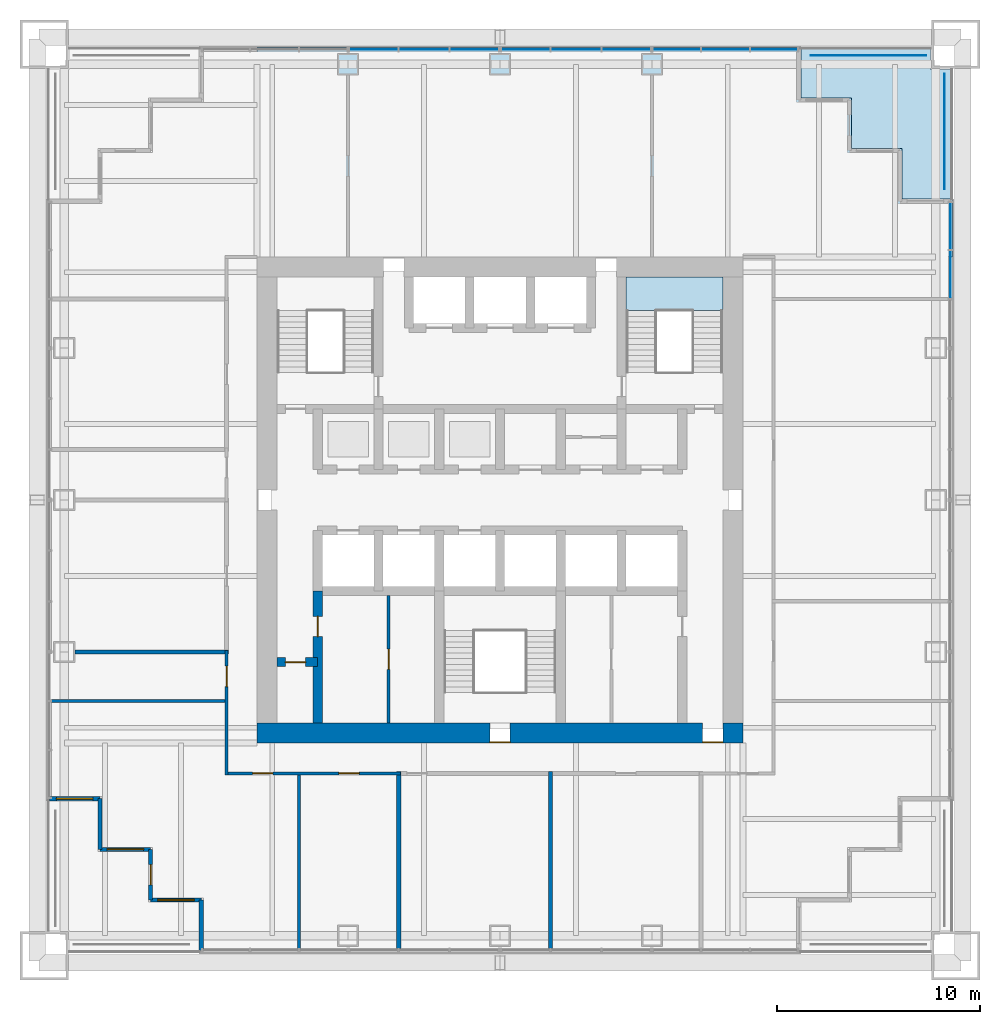
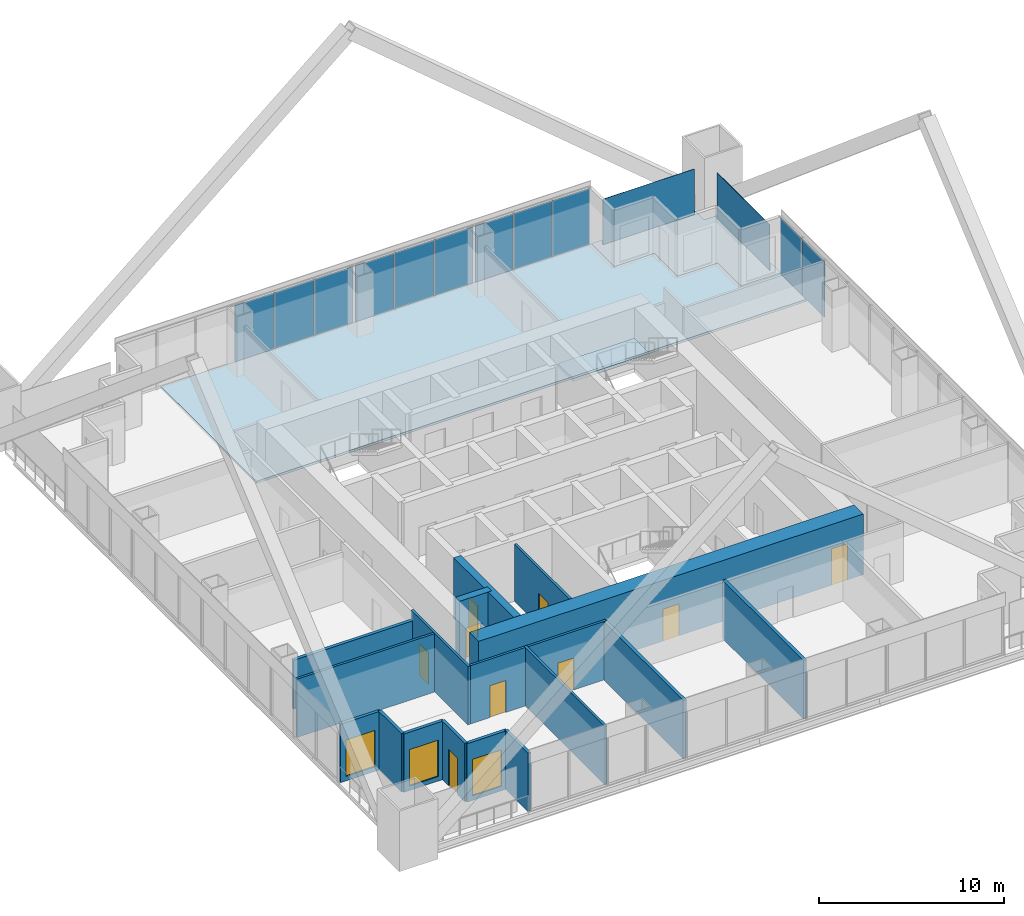
# One storey, part 8 of 14: 17 walls, 13 plates, 9 doors, 3 slabs, 3 windows, 12 openings, 5 elements without a shape of their own.
"""IFC4 building model written with IfcOpenShell, lengths in metres."""

from ifc_helpers import new_model, si_unit, direction, frame, frame_2d, origin, origin_2d, place, context, subcontext, project, spatial, polyline, rectangle, outline, extrude, material, layer, layer_set, type_object, element, fill, aggregate, save


model = new_model("IFC4")

# Units and contexts
model_context = context("Model", 3, precision=1e-05, world=origin(), true_north=direction((0.0, 1.0)))
body_context = subcontext(model_context, "Body", "Model", "MODEL_VIEW")
ifc_project = project(units=[si_unit("LENGTHUNIT", "METRE"), si_unit("AREAUNIT", "SQUARE_METRE"), si_unit("VOLUMEUNIT", "CUBIC_METRE"), si_unit("PLANEANGLEUNIT", "RADIAN"), si_unit("MASSUNIT", "GRAM", prefix="KILO")], contexts=[model_context])

# Site, building, storey
site_placement = place(None, origin())
site = spatial("IfcSite", under=ifc_project, at=site_placement, CompositionType="ELEMENT")
building_placement = place(site_placement, origin())
building = spatial("IfcBuilding", under=site, at=building_placement, Name="Tarangal Relay Tower", CompositionType="ELEMENT")
storey_placement = place(building_placement, frame((0.0, 0.0, 177.89990234375)))
storey = spatial("IfcBuildingStorey", under=building, at=storey_placement, Name="L36", CompositionType="ELEMENT", Elevation=177.89990234375)

# Slab
ifc_material_1 = material(Name="Concrete fc' 35 MPa", Category="concrete")
ifc_layer_1 = layer(ifc_material_1, 0.14990234375)
ifc_layer_set_1 = layer_set([ifc_layer_1], Name="Floor slab 150")
slab_type_1 = type_object("IfcSlabType", Name="Floor slab 150", PredefinedType="FLOOR", material=ifc_layer_set_1)
slab_1_placement = place(storey_placement, frame((0.0, 0.0, -0.14990234375)))
element("IfcSlab", 1, at=slab_1_placement, inside=storey, type_object=slab_type_1, Name="Floor slab FS3 L36 north bay", PredefinedType="FLOOR", context=body_context, shape_type="SweptSolid", body=[
    extrude(outline(polyline([(14.85009765625, 22.35009765625), (14.85009765625, 19.85009765625), (17.35009765625, 19.85009765625), (17.35009765625, 17.35009765625), (19.85009765625, 17.35009765625), (19.85009765625, 14.85009765625), (22.35009765625, 14.85009765625), (22.35009765625, 12.0), (-12.0, 12.0), (-12.0, 22.35009765625), (14.85009765625, 22.35009765625)])), origin(), (0.0, 0.0, 1.0), 0.14990234375),
])

# Curtain wall, plates
ifc_material_2 = material(Name="Unitised curtain wall, dark glass and black aluminium", Category="aluminium")
curtain_wall_type = type_object("IfcCurtainWallType", Name="Curtain wall CW-S", PredefinedType="USERDEFINED", material=ifc_material_2)
curtain_wall_1_placement = place(storey_placement, origin())
curtain_wall_1 = element("IfcCurtainWall", 2, at=curtain_wall_1_placement, inside=storey, type_object=curtain_wall_type, Name="Curtain wall CW-S N facade L36", ObjectType="UNITISED CURTAIN WALL", PredefinedType="USERDEFINED")
ifc_material_3 = material(Name="Dark tinted insulated glass unit", Category="glass")
ifc_layer_2 = layer(ifc_material_3, 0.035888671875)
ifc_layer_set_2 = layer_set([ifc_layer_2], Name="Glazed panel CW-S 36")
plate_type_1 = type_object("IfcPlateType", Name="Glazed panel CW-S 36", PredefinedType="CURTAIN_PANEL", material=ifc_layer_set_2)
plate_1_placement = place(storey_placement, frame((-6.231201171875, 22.25, 0.0751953125), z_axis=(0.0, 0.0, 1.0), x_axis=(1.0, 0.0, 0.0)))
plate_1 = element("IfcPlate", 3, at=plate_1_placement, type_object=plate_type_1, Name="CW-S panel 1.1", PredefinedType="CURTAIN_PANEL", context=body_context, shape_type="SweptSolid", body=[
    extrude(rectangle(XDim=2.387451171875, YDim=0.035888671875, at=origin_2d()), origin(), (0.0, 0.0, 1.0), 3.699951171875),
])
plate_2_placement = place(storey_placement, frame((-3.75, 22.25, 0.0751953125), z_axis=(0.0, 0.0, 1.0), x_axis=(1.0, 0.0, 0.0)))
plate_2 = element("IfcPlate", 4, at=plate_2_placement, type_object=plate_type_1, Name="CW-S panel 2.1", PredefinedType="CURTAIN_PANEL", context=body_context, shape_type="SweptSolid", body=[
    extrude(rectangle(XDim=2.425048828125, YDim=0.035888671875, at=origin_2d()), origin(), (0.0, 0.0, 1.0), 3.699951171875),
])
plate_3_placement = place(storey_placement, frame((-1.268798828125, 22.25, 0.0751953125), z_axis=(0.0, 0.0, 1.0), x_axis=(1.0, 0.0, 0.0)))
plate_3 = element("IfcPlate", 5, at=plate_3_placement, type_object=plate_type_1, Name="CW-S panel 3.1", PredefinedType="CURTAIN_PANEL", context=body_context, shape_type="SweptSolid", body=[
    extrude(rectangle(XDim=2.387451171875, YDim=0.035888671875, at=origin_2d()), origin(), (0.0, 0.0, 1.0), 3.699951171875),
])
aggregate(curtain_wall_1, [plate_1, plate_2, plate_3])

curtain_wall_2_placement = place(storey_placement, origin())
curtain_wall_2 = element("IfcCurtainWall", 6, at=curtain_wall_2_placement, inside=storey, type_object=curtain_wall_type, Name="Curtain wall CW-S N facade L36", ObjectType="UNITISED CURTAIN WALL", PredefinedType="USERDEFINED")
plate_4_placement = place(storey_placement, frame((1.268798828125, 22.25, 0.0751953125), z_axis=(0.0, 0.0, 1.0), x_axis=(1.0, 0.0, 0.0)))
plate_4 = element("IfcPlate", 7, at=plate_4_placement, type_object=plate_type_1, Name="CW-S panel 1.1", PredefinedType="CURTAIN_PANEL", context=body_context, shape_type="SweptSolid", body=[
    extrude(rectangle(XDim=2.387451171875, YDim=0.035888671875, at=origin_2d()), origin(), (0.0, 0.0, 1.0), 3.699951171875),
])
plate_5_placement = place(storey_placement, frame((3.75, 22.25, 0.0751953125), z_axis=(0.0, 0.0, 1.0), x_axis=(1.0, 0.0, 0.0)))
plate_5 = element("IfcPlate", 8, at=plate_5_placement, type_object=plate_type_1, Name="CW-S panel 2.1", PredefinedType="CURTAIN_PANEL", context=body_context, shape_type="SweptSolid", body=[
    extrude(rectangle(XDim=2.425048828125, YDim=0.035888671875, at=origin_2d()), origin(), (0.0, 0.0, 1.0), 3.699951171875),
])
plate_6_placement = place(storey_placement, frame((6.231201171875, 22.25, 0.0751953125), z_axis=(0.0, 0.0, 1.0), x_axis=(1.0, 0.0, 0.0)))
plate_6 = element("IfcPlate", 9, at=plate_6_placement, type_object=plate_type_1, Name="CW-S panel 3.1", PredefinedType="CURTAIN_PANEL", context=body_context, shape_type="SweptSolid", body=[
    extrude(rectangle(XDim=2.387451171875, YDim=0.035888671875, at=origin_2d()), origin(), (0.0, 0.0, 1.0), 3.699951171875),
])
aggregate(curtain_wall_2, [plate_4, plate_5, plate_6])

curtain_wall_3_placement = place(storey_placement, origin())
curtain_wall_3 = element("IfcCurtainWall", 10, at=curtain_wall_3_placement, inside=storey, type_object=curtain_wall_type, Name="Curtain wall CW-S N facade L36", ObjectType="UNITISED CURTAIN WALL", PredefinedType="USERDEFINED")
plate_7_placement = place(storey_placement, frame((8.72705078125, 22.25, 0.0751953125), z_axis=(0.0, 0.0, 1.0), x_axis=(1.0, 0.0, 0.0)))
plate_7 = element("IfcPlate", 11, at=plate_7_placement, type_object=plate_type_1, Name="CW-S panel 1.1", PredefinedType="CURTAIN_PANEL", context=body_context, shape_type="SweptSolid", body=[
    extrude(rectangle(XDim=2.30419921875, YDim=0.035888671875, at=origin_2d()), origin(), (0.0, 0.0, 1.0), 3.699951171875),
])
plate_8_placement = place(storey_placement, frame((11.125, 22.25, 0.0751953125), z_axis=(0.0, 0.0, 1.0), x_axis=(1.0, 0.0, 0.0)))
plate_8 = element("IfcPlate", 12, at=plate_8_placement, type_object=plate_type_1, Name="CW-S panel 2.1", PredefinedType="CURTAIN_PANEL", context=body_context, shape_type="SweptSolid", body=[
    extrude(rectangle(XDim=2.341552734375, YDim=0.035888671875, at=origin_2d()), origin(), (0.0, 0.0, 1.0), 3.699951171875),
])
plate_9_placement = place(storey_placement, frame((13.52294921875, 22.25, 0.0751953125), z_axis=(0.0, 0.0, 1.0), x_axis=(1.0, 0.0, 0.0)))
plate_9 = element("IfcPlate", 13, at=plate_9_placement, type_object=plate_type_1, Name="CW-S panel 3.1", PredefinedType="CURTAIN_PANEL", context=body_context, shape_type="SweptSolid", body=[
    extrude(rectangle(XDim=2.30419921875, YDim=0.035888671875, at=origin_2d()), origin(), (0.0, 0.0, 1.0), 3.699951171875),
])
aggregate(curtain_wall_3, [plate_7, plate_8, plate_9])

curtain_wall_4_placement = place(storey_placement, origin())
curtain_wall_4 = element("IfcCurtainWall", 14, at=curtain_wall_4_placement, inside=storey, type_object=curtain_wall_type, Name="Curtain wall CW-S E facade L36", ObjectType="UNITISED CURTAIN WALL", PredefinedType="USERDEFINED")
plate_10_placement = place(storey_placement, frame((22.25, 13.52294921875, 0.0751953125), z_axis=(0.0, 0.0, 1.0), x_axis=(0.0, -1.0, 0.0)))
plate_10 = element("IfcPlate", 15, at=plate_10_placement, type_object=plate_type_1, Name="CW-S panel 1.1", PredefinedType="CURTAIN_PANEL", context=body_context, shape_type="SweptSolid", body=[
    extrude(rectangle(XDim=2.30419921875, YDim=0.035888671875, at=origin_2d()), origin(), (0.0, 0.0, 1.0), 3.699951171875),
])
plate_11_placement = place(storey_placement, frame((22.25, 11.125, 0.0751953125), z_axis=(0.0, 0.0, 1.0), x_axis=(0.0, -1.0, 0.0)))
plate_11 = element("IfcPlate", 16, at=plate_11_placement, type_object=plate_type_1, Name="CW-S panel 2.1", PredefinedType="CURTAIN_PANEL", context=body_context, shape_type="SweptSolid", body=[
    extrude(rectangle(XDim=2.341552734375, YDim=0.035888671875, at=origin_2d()), origin(), (0.0, 0.0, 1.0), 3.699951171875),
])
aggregate(curtain_wall_4, [plate_10, plate_11])

# Plate
ifc_material_4 = material(Name="Black stainless steel cable trellis with climbing planting", Category="steel")
ifc_layer_3 = layer(ifc_material_4, 0.030029296875)
ifc_layer_set_3 = layer_set([ifc_layer_3], Name="Planted trellis screen")
plate_type_2 = type_object("IfcPlateType", Name="Planted trellis screen", PredefinedType="SHEET", material=ifc_layer_set_3)
plate_12_placement = place(storey_placement, frame((21.949951171875, 18.199951171875, 0.0), z_axis=(0.0, 0.0, 1.0), x_axis=(0.0, -1.0, 0.0)))
element("IfcPlate", 17, at=plate_12_placement, inside=storey, type_object=plate_type_2, Name="Planted trellis SC2 NE L36", PredefinedType="SHEET", context=body_context, shape_type="SweptSolid", body=[
    extrude(rectangle(XDim=5.699951171875, YDim=0.030029296875, at=origin_2d()), origin(), (0.0, 0.0, 1.0), 3.0),
])

# Stair, slab
ifc_material_5 = material(Name="Steel ASTM A992 stair flight", Category="steel")
stair_type = type_object("IfcStairType", Name="Core stair 1500", PredefinedType="HALF_TURN_STAIR", material=ifc_material_5)
stair_placement = place(storey_placement, origin())
stair = element("IfcStair", 18, at=stair_placement, inside=storey, type_object=stair_type, Name="Stair ST-B L36", PredefinedType="HALF_TURN_STAIR")
ifc_layer_4 = layer(ifc_material_1, 0.199951171875)
ifc_layer_set_4 = layer_set([ifc_layer_4], Name="Stair landing 200")
slab_type_2 = type_object("IfcSlabType", Name="Stair landing 200", PredefinedType="LANDING", material=ifc_layer_set_4)
slab_2_placement = place(storey_placement, frame((0.0, 0.0, 1.800048828125)))
slab_2 = element("IfcSlab", 19, at=slab_2_placement, type_object=slab_type_2, Name="ST-B landing 2", PredefinedType="LANDING", context=body_context, shape_type="SweptSolid", body=[
    extrude(outline(polyline([(6.22509765625, 9.346923828125), (11.0, 9.346923828125), (11.0, 11.0), (6.22509765625, 11.0), (6.22509765625, 9.346923828125)])), origin(), (0.0, 0.0, 1.0), 0.199951171875),
])
aggregate(stair, [slab_2])

# Plate
ifc_material_6 = material(Name="Perforated black aluminium screen", Category="aluminium")
ifc_layer_5 = layer(ifc_material_6, 0.02001953125)
ifc_layer_set_5 = layer_set([ifc_layer_5], Name="Terrace screen panel")
plate_type_3 = type_object("IfcPlateType", Name="Terrace screen panel", PredefinedType="SHEET", material=ifc_layer_set_5)
plate_13_placement = place(storey_placement, frame((18.199951171875, 21.949951171875, 0.0), z_axis=(0.0, 0.0, 1.0), x_axis=(1.0, 0.0, 0.0)))
element("IfcPlate", 20, at=plate_13_placement, inside=storey, type_object=plate_type_3, Name="Terrace screen SC1 NE L36", PredefinedType="SHEET", context=body_context, shape_type="SweptSolid", body=[
    extrude(rectangle(XDim=5.699951171875, YDim=0.02001953125, at=origin_2d()), origin(), (0.0, 0.0, 1.0), 3.0),
])

# Slab
ifc_layer_6 = layer(ifc_material_1, 0.14990234375)
ifc_layer_set_6 = layer_set([ifc_layer_6], Name="Terrace slab 150")
slab_type_3 = type_object("IfcSlabType", Name="Terrace slab 150", PredefinedType="FLOOR", material=ifc_layer_set_6)
slab_3_placement = place(storey_placement, frame((0.0, 0.0, -0.14990234375)))
element("IfcSlab", 21, at=slab_3_placement, inside=storey, type_object=slab_type_3, Name="Corner terrace NE L36", PredefinedType="FLOOR", context=body_context, shape_type="SweptSolid", body=[
    extrude(outline(polyline([(14.85009765625, 22.35009765625), (14.85009765625, 19.85009765625), (17.35009765625, 19.85009765625), (17.35009765625, 17.35009765625), (19.85009765625, 17.35009765625), (19.85009765625, 14.85009765625), (22.35009765625, 14.85009765625), (22.35009765625, 21.25), (21.25, 21.25), (21.25, 22.35009765625), (14.85009765625, 22.35009765625)])), origin(), (0.0, 0.0, 1.0), 0.14990234375),
])

# Walls
ifc_material_7 = material(Name="Two layers gypsum board each side on twin steel studs, mineral wool", Category="steel")
ifc_layer_7 = layer(ifc_material_7, 0.199951171875)
ifc_layer_set_7 = layer_set([ifc_layer_7], Name="Acoustic partition 200")
wall_type_1 = type_object("IfcWallType", Name="Acoustic partition 200", PredefinedType="PARTITIONING", material=ifc_layer_set_7)
wall_1_placement = place(storey_placement, frame((-20.989990234375, -7.5, 0.0), z_axis=(0.0, 0.0, 1.0), x_axis=(1.0, 0.0, 0.0)))
element("IfcWall", 22, at=wall_1_placement, inside=storey, type_object=wall_type_1, Name="Partition PT2 L36", PredefinedType="PARTITIONING", context=body_context, shape_type="SweptSolid", body=[
    extrude(rectangle(XDim=7.590087890625, YDim=0.199951171875, at=frame_2d((3.794921875, 0.0))), origin(), (0.0, 0.0, 1.0), 3.238037109375),
])
for number, where, z_axis, x_axis, name in (
    (23, (-5.0, -22.14990234375, 0.0), (0.0, 0.0, 1.0), (0.0, 1.0, 0.0), "Partition PT2 L36"),
    (24, (2.5, -22.14990234375, 0.0), (0.0, 0.0, 1.0), (0.0, 1.0, 0.0), "Partition PT2 L36"),
):
    element("IfcWall", number, at=place(storey_placement, frame(where, z_axis=z_axis, x_axis=x_axis)), inside=storey, type_object=wall_type_1, Name=name, PredefinedType="PARTITIONING", context=body_context, shape_type="SweptSolid", body=[
        extrude(rectangle(XDim=8.75, YDim=0.199951171875, at=frame_2d((4.375, 0.0))), origin(), (0.0, 0.0, 1.0), 3.85009765625),
    ])

# Wall, opening, door
ifc_material_8 = material(Name="Concrete fc' 60 MPa", Category="concrete")
ifc_layer_8 = layer(ifc_material_8, 0.449951171875)
ifc_layer_set_8 = layer_set([ifc_layer_8], Name="Core inner wall 450")
wall_type_2 = type_object("IfcWallType", Name="Core inner wall 450", PredefinedType="SHEAR", material=ifc_layer_set_8)
wall_2_placement = place(storey_placement, frame((-11.0, -8.0, 0.0), z_axis=(0.0, 0.0, 1.0), x_axis=(1.0, 0.0, 0.0)))
wall_2 = element("IfcWall", 25, at=wall_2_placement, inside=storey, type_object=wall_type_2, Name="Core wall YM8 L36", PredefinedType="SHEAR", context=body_context, shape_type="SweptSolid", body=[
    extrude(rectangle(XDim=2.0, YDim=0.449951171875, at=frame_2d((1.0, 0.0))), origin(), (0.0, 0.0, 1.0), 4.0),
])
opening_1_placement = place(wall_2_placement, frame((0.39990234375, 0.0, 0.0)))
opening_1 = element("IfcOpeningElement", 26, at=opening_1_placement, cuts=wall_2, Name="Opening D1", PredefinedType="OPENING", context=body_context, shape_type="SweptSolid", body=[
    extrude(rectangle(XDim=1.0, YDim=2.10009765625, at=frame_2d((0.5, 1.050048828125))), frame((0.0, 0.23486328125, 0.0), z_axis=(0.0, -1.0, 0.0), x_axis=(1.0, 0.0, 0.0)), (0.0, 0.0, 1.0), 0.469970703125),
])
ifc_material_9 = material(Name="Hardwood door", Category="wood")
door_type_1 = type_object("IfcDoorType", Name="WC door 1000 x 2100", OperationType="SINGLE_SWING_LEFT", PredefinedType="DOOR", material=ifc_material_9)
door_1_placement = place(opening_1_placement, origin())
door_1 = element("IfcDoor", 27, at=door_1_placement, inside=storey, type_object=door_type_1, Name="Accessible WC door L36", OperationType="SINGLE_SWING_LEFT", OverallHeight=2.10009765625, OverallWidth=1.0, PredefinedType="DOOR", context=body_context, shape_type="SweptSolid", body=[
    extrude(rectangle(XDim=1.0, YDim=2.10009765625, at=frame_2d((0.5, 1.050048828125))), frame((0.0, 0.02490234375, 0.0), z_axis=(0.0, -1.0, 0.0), x_axis=(1.0, 0.0, 0.0)), (0.0, 0.0, 1.0), 0.050048828125),
])
fill(opening_1, door_1)

wall_3_placement = place(storey_placement, frame((-9.0, -11.0, 0.0), z_axis=(0.0, 0.0, 1.0), x_axis=(0.0, 1.0, 0.0)))
wall_3 = element("IfcWall", 28, at=wall_3_placement, inside=storey, type_object=wall_type_2, Name="Core wall XM9W L36", PredefinedType="SHEAR", context=body_context, shape_type="SweptSolid", body=[
    extrude(rectangle(XDim=6.5, YDim=0.449951171875, at=frame_2d((3.25, 0.0))), origin(), (0.0, 0.0, 1.0), 4.0),
])
opening_2_placement = place(wall_3_placement, frame((4.25, 0.0, 0.0)))
opening_2 = element("IfcOpeningElement", 29, at=opening_2_placement, cuts=wall_3, Name="Opening D1", PredefinedType="OPENING", context=body_context, shape_type="SweptSolid", body=[
    extrude(rectangle(XDim=1.0, YDim=2.10009765625, at=frame_2d((0.5, 1.050048828125))), frame((0.0, 0.23486328125, 0.0), z_axis=(0.0, -1.0, 0.0), x_axis=(1.0, 0.0, 0.0)), (0.0, 0.0, 1.0), 0.469970703125),
])
door_2_placement = place(opening_2_placement, origin())
door_2 = element("IfcDoor", 30, at=door_2_placement, inside=storey, type_object=door_type_1, Name="Male WC door L36", OperationType="SINGLE_SWING_LEFT", OverallHeight=2.10009765625, OverallWidth=1.0, PredefinedType="DOOR", context=body_context, shape_type="SweptSolid", body=[
    extrude(rectangle(XDim=1.0, YDim=2.10009765625, at=frame_2d((0.5, 1.050048828125))), frame((0.0, 0.02490234375, 0.0), z_axis=(0.0, -1.0, 0.0), x_axis=(1.0, 0.0, 0.0)), (0.0, 0.0, 1.0), 0.050048828125),
])
fill(opening_2, door_2)

# Wall, openings, doors
ifc_layer_9 = layer(ifc_material_8, 1.0)
ifc_layer_set_9 = layer_set([ifc_layer_9], Name="Core wall 1000")
wall_type_3 = type_object("IfcWallType", Name="Core wall 1000", PredefinedType="SHEAR", material=ifc_layer_set_9)
wall_4_placement = place(storey_placement, frame((12.0, -11.5, 0.0), z_axis=(0.0, 0.0, 1.0), x_axis=(-1.0, 0.0, 0.0)))
wall_4 = element("IfcWall", 31, at=wall_4_placement, inside=storey, type_object=wall_type_3, Name="Core wall S L36", PredefinedType="SHEAR", context=body_context, shape_type="SweptSolid", body=[
    extrude(rectangle(XDim=24.0, YDim=1.0, at=frame_2d((12.0, 0.0))), origin(), (0.0, 0.0, 1.0), 4.0),
])
opening_3_placement = place(wall_4_placement, frame((11.5, 0.0, 0.0)))
opening_3 = element("IfcOpeningElement", 32, at=opening_3_placement, cuts=wall_4, Name="Opening FD1", PredefinedType="OPENING", context=body_context, shape_type="SweptSolid", body=[
    extrude(rectangle(XDim=1.0, YDim=2.10009765625, at=frame_2d((0.5, 1.050048828125))), frame((0.0, 0.510009765625, 0.0), z_axis=(0.0, -1.0, 0.0), x_axis=(1.0, 0.0, 0.0)), (0.0, 0.0, 1.0), 1.02001953125),
])
opening_4_placement = place(wall_4_placement, frame((1.0, 0.0, 0.0)))
opening_4 = element("IfcOpeningElement", 33, at=opening_4_placement, cuts=wall_4, Name="Opening FD3", PredefinedType="OPENING", context=body_context, shape_type="SweptSolid", body=[
    extrude(rectangle(XDim=1.0, YDim=2.39990234375, at=frame_2d((0.5, 1.199951171875))), frame((0.0, 0.510009765625, 0.0), z_axis=(0.0, -1.0, 0.0), x_axis=(1.0, 0.0, 0.0)), (0.0, 0.0, 1.0), 1.02001953125),
])
ifc_material_10 = material(Name="Steel door with hardwood frame", Category="steel")
door_type_2 = type_object("IfcDoorType", Name="Fire door 1000 x 2100", OperationType="SINGLE_SWING_LEFT", PredefinedType="DOOR", material=ifc_material_10)
door_3_placement = place(opening_3_placement, origin())
door_3 = element("IfcDoor", 34, at=door_3_placement, inside=storey, type_object=door_type_2, Name="Stair ST-C door L36", OperationType="SINGLE_SWING_LEFT", OverallHeight=2.10009765625, OverallWidth=1.0, PredefinedType="DOOR", context=body_context, shape_type="SweptSolid", body=[
    extrude(rectangle(XDim=1.0, YDim=2.10009765625, at=frame_2d((0.5, 1.050048828125))), frame((0.0, 0.48486328125, 0.0), z_axis=(0.0, -1.0, 0.0), x_axis=(1.0, 0.0, 0.0)), (0.0, 0.0, 1.0), 0.050048828125),
])
fill(opening_3, door_3)
door_type_3 = type_object("IfcDoorType", Name="Fire door 1000 x 2400 core entry", OperationType="SINGLE_SWING_RIGHT", PredefinedType="DOOR", material=ifc_material_10)
door_4_placement = place(opening_4_placement, origin())
door_4 = element("IfcDoor", 35, at=door_4_placement, inside=storey, type_object=door_type_3, Name="Core entry door south east L36", OperationType="SINGLE_SWING_RIGHT", OverallHeight=2.39990234375, OverallWidth=1.0, PredefinedType="DOOR", context=body_context, shape_type="SweptSolid", body=[
    extrude(rectangle(XDim=1.0, YDim=2.39990234375, at=frame_2d((0.5, 1.199951171875))), frame((0.0, 0.48486328125, 0.0), z_axis=(0.0, -1.0, 0.0), x_axis=(1.0, 0.0, 0.0)), (0.0, 0.0, 1.0), 0.050048828125),
])
fill(opening_4, door_4)

# Wall
ifc_material_11 = material(Name="Black metal clad insulated wall", Category="steel")
ifc_layer_10 = layer(ifc_material_11, 0.199951171875)
ifc_layer_set_10 = layer_set([ifc_layer_10], Name="Corner wall metal clad 200")
wall_type_4 = type_object("IfcWallType", Name="Corner wall metal clad 200", PredefinedType="SOLIDWALL", material=ifc_layer_set_10)
wall_5_placement = place(storey_placement, frame((-14.75, -22.25, 0.0), z_axis=(0.0, 0.0, 1.0), x_axis=(0.0, 1.0, 0.0)))
element("IfcWall", 36, at=wall_5_placement, inside=storey, type_object=wall_type_4, Name="Facade wall S facade L36", PredefinedType="SOLIDWALL", context=body_context, shape_type="SweptSolid", body=[
    extrude(rectangle(XDim=2.5, YDim=0.199951171875, at=frame_2d((1.25, 0.0))), origin(), (0.0, 0.0, 1.0), 3.85009765625),
])

# Wall, opening, window
wall_6_placement = place(storey_placement, frame((-14.75, -19.75, 0.0), z_axis=(0.0, 0.0, 1.0), x_axis=(-1.0, 0.0, 0.0)))
wall_6 = element("IfcWall", 37, at=wall_6_placement, inside=storey, type_object=wall_type_4, Name="Facade wall S facade L36", PredefinedType="SOLIDWALL", context=body_context, shape_type="SweptSolid", body=[
    extrude(rectangle(XDim=2.5, YDim=0.199951171875, at=frame_2d((1.25, 0.0))), origin(), (0.0, 0.0, 1.0), 3.85009765625),
])
opening_5_placement = place(wall_6_placement, frame((0.35009765625, 0.0, 0.300048828125)))
opening_5 = element("IfcOpeningElement", 38, at=opening_5_placement, cuts=wall_6, Name="Opening WN2", PredefinedType="OPENING", context=body_context, shape_type="SweptSolid", body=[
    extrude(rectangle(XDim=1.800048828125, YDim=2.39990234375, at=frame_2d((0.89990234375, 1.199951171875))), frame((0.0, 0.10986328125, 0.0), z_axis=(0.0, -1.0, 0.0), x_axis=(1.0, 0.0, 0.0)), (0.0, 0.0, 1.0), 0.219970703125),
])
ifc_material_12 = material(Name="Dark tinted double glazing in black aluminium frame", Category="aluminium")
window_type = type_object("IfcWindowType", Name="Corner window 1800 x 2400", PartitioningType="SINGLE_PANEL", PredefinedType="WINDOW", material=ifc_material_12)
window_1_placement = place(opening_5_placement, origin())
window_1 = element("IfcWindow", 39, at=window_1_placement, inside=storey, type_object=window_type, Name="Corner window WN2 S facade L36", OverallHeight=2.39990234375, OverallWidth=1.800048828125, PartitioningType="SINGLE_PANEL", PredefinedType="WINDOW", context=body_context, shape_type="SweptSolid", body=[
    extrude(rectangle(XDim=1.800048828125, YDim=2.39990234375, at=frame_2d((0.89990234375, 1.199951171875))), frame((0.0, 0.030029296875, 0.0), z_axis=(0.0, -1.0, 0.0), x_axis=(1.0, 0.0, 0.0)), (0.0, 0.0, 1.0), 0.06005859375),
])
fill(opening_5, window_1)

# Wall, opening, door
wall_7_placement = place(storey_placement, frame((-17.25, -19.75, 0.0), z_axis=(0.0, 0.0, 1.0), x_axis=(0.0, 1.0, 0.0)))
wall_7 = element("IfcWall", 40, at=wall_7_placement, inside=storey, type_object=wall_type_4, Name="Facade wall S facade L36", PredefinedType="SOLIDWALL", context=body_context, shape_type="SweptSolid", body=[
    extrude(rectangle(XDim=2.5, YDim=0.199951171875, at=frame_2d((1.25, 0.0))), origin(), (0.0, 0.0, 1.0), 3.85009765625),
])
opening_6_placement = place(wall_7_placement, frame((0.75, 0.0, 0.0)))
opening_6 = element("IfcOpeningElement", 41, at=opening_6_placement, cuts=wall_7, Name="Opening TD1", PredefinedType="OPENING", context=body_context, shape_type="SweptSolid", body=[
    extrude(rectangle(XDim=1.0, YDim=2.39990234375, at=frame_2d((0.5, 1.199951171875))), frame((0.0, 0.10986328125, 0.0), z_axis=(0.0, -1.0, 0.0), x_axis=(1.0, 0.0, 0.0)), (0.0, 0.0, 1.0), 0.219970703125),
])
ifc_material_13 = material(Name="Aluminium glazed door", Category="aluminium")
door_type_4 = type_object("IfcDoorType", Name="Terrace door 1000 x 2400", OperationType="SINGLE_SWING_RIGHT", PredefinedType="DOOR", material=ifc_material_13)
door_5_placement = place(opening_6_placement, origin())
door_5 = element("IfcDoor", 42, at=door_5_placement, inside=storey, type_object=door_type_4, Name="Terrace door TD1 SW L36", OperationType="SINGLE_SWING_RIGHT", OverallHeight=2.39990234375, OverallWidth=1.0, PredefinedType="DOOR", context=body_context, shape_type="SweptSolid", body=[
    extrude(rectangle(XDim=1.0, YDim=2.39990234375, at=frame_2d((0.5, 1.199951171875))), frame((0.0, 0.02490234375, 0.0), z_axis=(0.0, -1.0, 0.0), x_axis=(1.0, 0.0, 0.0)), (0.0, 0.0, 1.0), 0.050048828125),
])
fill(opening_6, door_5)

# Wall, opening, window
wall_8_placement = place(storey_placement, frame((-17.25, -17.25, 0.0), z_axis=(0.0, 0.0, 1.0), x_axis=(-1.0, 0.0, 0.0)))
wall_8 = element("IfcWall", 43, at=wall_8_placement, inside=storey, type_object=wall_type_4, Name="Facade wall S facade L36", PredefinedType="SOLIDWALL", context=body_context, shape_type="SweptSolid", body=[
    extrude(rectangle(XDim=2.5, YDim=0.199951171875, at=frame_2d((1.25, 0.0))), origin(), (0.0, 0.0, 1.0), 3.85009765625),
])
opening_7_placement = place(wall_8_placement, frame((0.35009765625, 0.0, 0.300048828125)))
opening_7 = element("IfcOpeningElement", 44, at=opening_7_placement, cuts=wall_8, Name="Opening WN2", PredefinedType="OPENING", context=body_context, shape_type="SweptSolid", body=[
    extrude(rectangle(XDim=1.800048828125, YDim=2.39990234375, at=frame_2d((0.89990234375, 1.199951171875))), frame((0.0, 0.10986328125, 0.0), z_axis=(0.0, -1.0, 0.0), x_axis=(1.0, 0.0, 0.0)), (0.0, 0.0, 1.0), 0.219970703125),
])
window_2_placement = place(opening_7_placement, origin())
window_2 = element("IfcWindow", 45, at=window_2_placement, inside=storey, type_object=window_type, Name="Corner window WN2 S facade L36", OverallHeight=2.39990234375, OverallWidth=1.800048828125, PartitioningType="SINGLE_PANEL", PredefinedType="WINDOW", context=body_context, shape_type="SweptSolid", body=[
    extrude(rectangle(XDim=1.800048828125, YDim=2.39990234375, at=frame_2d((0.89990234375, 1.199951171875))), frame((0.0, 0.030029296875, 0.0), z_axis=(0.0, -1.0, 0.0), x_axis=(1.0, 0.0, 0.0)), (0.0, 0.0, 1.0), 0.06005859375),
])
fill(opening_7, window_2)

# Wall
wall_9_placement = place(storey_placement, frame((-19.75, -17.25, 0.0), z_axis=(0.0, 0.0, 1.0), x_axis=(0.0, 1.0, 0.0)))
element("IfcWall", 46, at=wall_9_placement, inside=storey, type_object=wall_type_4, Name="Facade wall S facade L36", PredefinedType="SOLIDWALL", context=body_context, shape_type="SweptSolid", body=[
    extrude(rectangle(XDim=2.5, YDim=0.199951171875, at=frame_2d((1.25, 0.0))), origin(), (0.0, 0.0, 1.0), 3.85009765625),
])

# Wall, opening, window
wall_10_placement = place(storey_placement, frame((-19.75, -14.75, 0.0), z_axis=(0.0, 0.0, 1.0), x_axis=(-1.0, 0.0, 0.0)))
wall_10 = element("IfcWall", 47, at=wall_10_placement, inside=storey, type_object=wall_type_4, Name="Facade wall S facade L36", PredefinedType="SOLIDWALL", context=body_context, shape_type="SweptSolid", body=[
    extrude(rectangle(XDim=2.5, YDim=0.199951171875, at=frame_2d((1.25, 0.0))), origin(), (0.0, 0.0, 1.0), 3.85009765625),
])
opening_8_placement = place(wall_10_placement, frame((0.35009765625, 0.0, 0.300048828125)))
opening_8 = element("IfcOpeningElement", 48, at=opening_8_placement, cuts=wall_10, Name="Opening WN2", PredefinedType="OPENING", context=body_context, shape_type="SweptSolid", body=[
    extrude(rectangle(XDim=1.800048828125, YDim=2.39990234375, at=frame_2d((0.89990234375, 1.199951171875))), frame((0.0, 0.10986328125, 0.0), z_axis=(0.0, -1.0, 0.0), x_axis=(1.0, 0.0, 0.0)), (0.0, 0.0, 1.0), 0.219970703125),
])
window_3_placement = place(opening_8_placement, origin())
window_3 = element("IfcWindow", 49, at=window_3_placement, inside=storey, type_object=window_type, Name="Corner window WN2 S facade L36", OverallHeight=2.39990234375, OverallWidth=1.800048828125, PartitioningType="SINGLE_PANEL", PredefinedType="WINDOW", context=body_context, shape_type="SweptSolid", body=[
    extrude(rectangle(XDim=1.800048828125, YDim=2.39990234375, at=frame_2d((0.89990234375, 1.199951171875))), frame((0.0, 0.030029296875, 0.0), z_axis=(0.0, -1.0, 0.0), x_axis=(1.0, 0.0, 0.0)), (0.0, 0.0, 1.0), 0.06005859375),
])
fill(opening_8, window_3)

# Wall, openings, doors
ifc_material_14 = material(Name="Gypsum board on steel studs", Category="steel")
ifc_layer_11 = layer(ifc_material_14, 0.14990234375)
ifc_layer_set_11 = layer_set([ifc_layer_11], Name="Partition 150")
wall_type_5 = type_object("IfcWallType", Name="Partition 150", PredefinedType="PARTITIONING", material=ifc_layer_set_11)
wall_11_placement = place(storey_placement, frame((-13.574951171875, -13.5, 0.0), z_axis=(0.0, 0.0, 1.0), x_axis=(1.0, 0.0, 0.0)))
wall_11 = element("IfcWall", 50, at=wall_11_placement, inside=storey, type_object=wall_type_5, Name="Partition PT1 L36", PredefinedType="PARTITIONING", context=body_context, shape_type="SweptSolid", body=[
    extrude(rectangle(XDim=8.64990234375, YDim=0.14990234375, at=frame_2d((4.324951171875, 0.0))), origin(), (0.0, 0.0, 1.0), 3.85009765625),
])
opening_9_placement = place(wall_11_placement, frame((5.616455078125, 0.0, 0.0)))
opening_9 = element("IfcOpeningElement", 51, at=opening_9_placement, cuts=wall_11, Name="Opening D2", PredefinedType="OPENING", context=body_context, shape_type="SweptSolid", body=[
    extrude(rectangle(XDim=1.0, YDim=2.10009765625, at=frame_2d((0.5, 1.050048828125))), frame((0.0, 0.0849609375, 0.0), z_axis=(0.0, -1.0, 0.0), x_axis=(1.0, 0.0, 0.0)), (0.0, 0.0, 1.0), 0.169921875),
])
opening_10_placement = place(wall_11_placement, frame((1.366455078125, 0.0, 0.0)))
opening_10 = element("IfcOpeningElement", 52, at=opening_10_placement, cuts=wall_11, Name="Opening D2", PredefinedType="OPENING", context=body_context, shape_type="SweptSolid", body=[
    extrude(rectangle(XDim=1.0, YDim=2.10009765625, at=frame_2d((0.5, 1.050048828125))), frame((0.0, 0.0849609375, 0.0), z_axis=(0.0, -1.0, 0.0), x_axis=(1.0, 0.0, 0.0)), (0.0, 0.0, 1.0), 0.169921875),
])
door_type_5 = type_object("IfcDoorType", Name="Door 1000 x 2100", OperationType="SINGLE_SWING_LEFT", PredefinedType="DOOR", material=ifc_material_9)
door_6_placement = place(opening_9_placement, origin())
door_6 = element("IfcDoor", 53, at=door_6_placement, inside=storey, type_object=door_type_5, Name="Door D2 to interview room L36-07", OperationType="SINGLE_SWING_LEFT", OverallHeight=2.10009765625, OverallWidth=1.0, PredefinedType="DOOR", context=body_context, shape_type="SweptSolid", body=[
    extrude(rectangle(XDim=1.0, YDim=2.10009765625, at=frame_2d((0.5, 1.050048828125))), frame((0.0, 0.02490234375, 0.0), z_axis=(0.0, -1.0, 0.0), x_axis=(1.0, 0.0, 0.0)), (0.0, 0.0, 1.0), 0.050048828125),
])
fill(opening_9, door_6)
door_7_placement = place(opening_10_placement, origin())
door_7 = element("IfcDoor", 54, at=door_7_placement, inside=storey, type_object=door_type_5, Name="Door D2 to tenant services office L36-15", OperationType="SINGLE_SWING_LEFT", OverallHeight=2.10009765625, OverallWidth=1.0, PredefinedType="DOOR", context=body_context, shape_type="SweptSolid", body=[
    extrude(rectangle(XDim=1.0, YDim=2.10009765625, at=frame_2d((0.5, 1.050048828125))), frame((0.0, 0.02490234375, 0.0), z_axis=(0.0, -1.0, 0.0), x_axis=(1.0, 0.0, 0.0)), (0.0, 0.0, 1.0), 0.050048828125),
])
fill(opening_10, door_7)

# Wall
wall_12_placement = place(storey_placement, frame((-22.14990234375, -9.9169921875, 0.0), z_axis=(0.0, 0.0, 1.0), x_axis=(1.0, 0.0, 0.0)))
element("IfcWall", 55, at=wall_12_placement, inside=storey, type_object=wall_type_5, Name="Partition PT1 L36", PredefinedType="PARTITIONING", context=body_context, shape_type="SweptSolid", body=[
    extrude(rectangle(XDim=8.724853515625, YDim=0.14990234375, at=frame_2d((4.3623046875, 0.0))), origin(), (0.0, 0.0, 1.0), 3.85009765625),
])

# Wall, opening, door
wall_13_placement = place(storey_placement, frame((-13.5, -13.574951171875, 0.0), z_axis=(0.0, 0.0, 1.0), x_axis=(0.0, 1.0, 0.0)))
wall_13 = element("IfcWall", 56, at=wall_13_placement, inside=storey, type_object=wall_type_5, Name="Partition PT1 L36", PredefinedType="PARTITIONING", context=body_context, shape_type="SweptSolid", body=[
    extrude(rectangle(XDim=6.14990234375, YDim=0.14990234375, at=frame_2d((3.074951171875, 0.0))), origin(), (0.0, 0.0, 1.0), 3.85009765625),
])
opening_11_placement = place(wall_13_placement, frame((4.366455078125, 0.0, 0.0)))
opening_11 = element("IfcOpeningElement", 57, at=opening_11_placement, cuts=wall_13, Name="Opening D1", PredefinedType="OPENING", context=body_context, shape_type="SweptSolid", body=[
    extrude(rectangle(XDim=1.0, YDim=2.10009765625, at=frame_2d((0.5, 1.050048828125))), frame((0.0, 0.0849609375, 0.0), z_axis=(0.0, -1.0, 0.0), x_axis=(1.0, 0.0, 0.0)), (0.0, 0.0, 1.0), 0.169921875),
])
door_8_placement = place(opening_11_placement, origin())
door_8 = element("IfcDoor", 58, at=door_8_placement, inside=storey, type_object=door_type_1, Name="Door D1 to ablution room for men L36-08", OperationType="SINGLE_SWING_LEFT", OverallHeight=2.10009765625, OverallWidth=1.0, PredefinedType="DOOR", context=body_context, shape_type="SweptSolid", body=[
    extrude(rectangle(XDim=1.0, YDim=2.10009765625, at=frame_2d((0.5, 1.050048828125))), frame((0.0, 0.02490234375, 0.0), z_axis=(0.0, -1.0, 0.0), x_axis=(1.0, 0.0, 0.0)), (0.0, 0.0, 1.0), 0.050048828125),
])
fill(opening_11, door_8)

# Wall
wall_14_placement = place(storey_placement, frame((-9.9169921875, -22.14990234375, 0.0), z_axis=(0.0, 0.0, 1.0), x_axis=(0.0, 1.0, 0.0)))
element("IfcWall", 59, at=wall_14_placement, inside=storey, type_object=wall_type_5, Name="Partition PT1 L36", PredefinedType="PARTITIONING", context=body_context, shape_type="SweptSolid", body=[
    extrude(rectangle(XDim=8.724853515625, YDim=0.14990234375, at=frame_2d((4.3623046875, 0.0))), origin(), (0.0, 0.0, 1.0), 3.85009765625),
])

# Wall, opening, door
wall_15_placement = place(storey_placement, frame((-5.5, -11.0, 0.0), z_axis=(0.0, 0.0, 1.0), x_axis=(0.0, 1.0, 0.0)))
wall_15 = element("IfcWall", 60, at=wall_15_placement, inside=storey, type_object=wall_type_5, Name="Partition PT1 L36", PredefinedType="PARTITIONING", context=body_context, shape_type="SweptSolid", body=[
    extrude(rectangle(XDim=6.27490234375, YDim=0.14990234375, at=frame_2d((3.137451171875, 0.0))), origin(), (0.0, 0.0, 1.0), 3.75),
])
opening_12_placement = place(wall_15_placement, frame((2.637451171875, 0.0, 0.0)))
opening_12 = element("IfcOpeningElement", 61, at=opening_12_placement, cuts=wall_15, Name="Opening D1", PredefinedType="OPENING", context=body_context, shape_type="SweptSolid", body=[
    extrude(rectangle(XDim=1.0, YDim=2.10009765625, at=frame_2d((0.5, 1.050048828125))), frame((0.0, 0.0849609375, 0.0), z_axis=(0.0, -1.0, 0.0), x_axis=(1.0, 0.0, 0.0)), (0.0, 0.0, 1.0), 0.169921875),
])
door_9_placement = place(opening_12_placement, origin())
door_9 = element("IfcDoor", 62, at=door_9_placement, inside=storey, type_object=door_type_1, Name="Door D1 to male shower and changing room L36-C7B", OperationType="SINGLE_SWING_LEFT", OverallHeight=2.10009765625, OverallWidth=1.0, PredefinedType="DOOR", context=body_context, shape_type="SweptSolid", body=[
    extrude(rectangle(XDim=1.0, YDim=2.10009765625, at=frame_2d((0.5, 1.050048828125))), frame((0.0, 0.02490234375, 0.0), z_axis=(0.0, -1.0, 0.0), x_axis=(1.0, 0.0, 0.0)), (0.0, 0.0, 1.0), 0.050048828125),
])
fill(opening_12, door_9)

save(model, "model.ifc")
